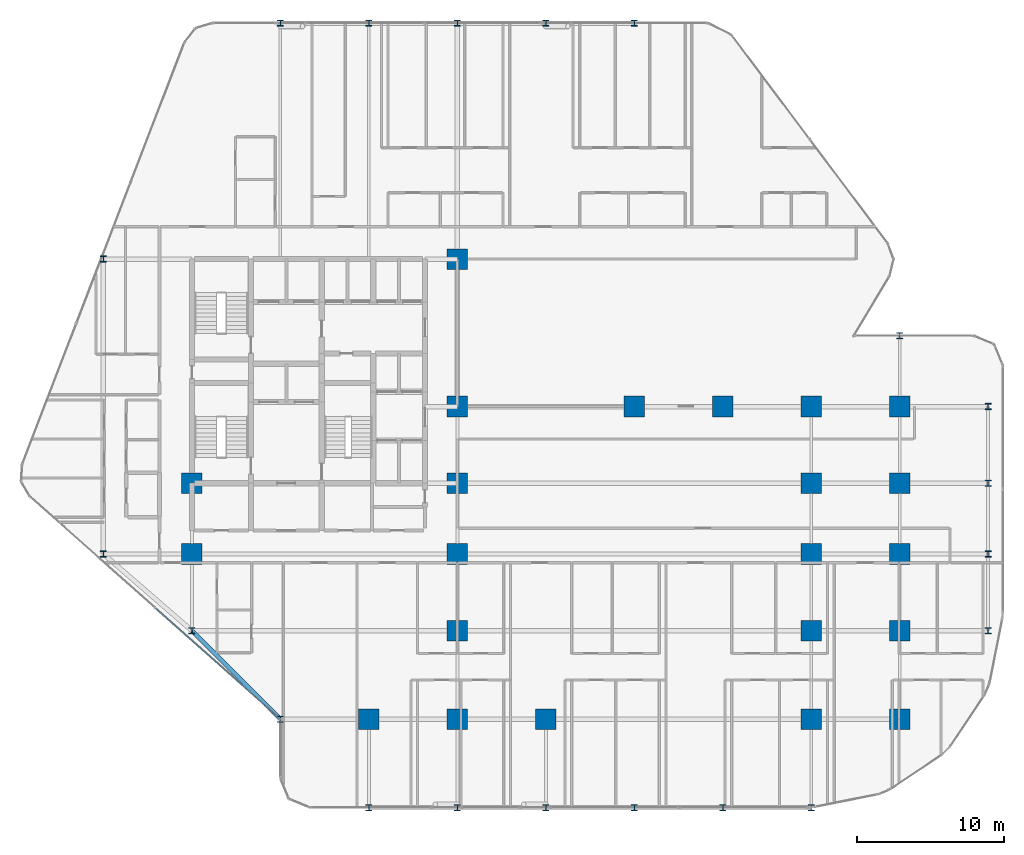
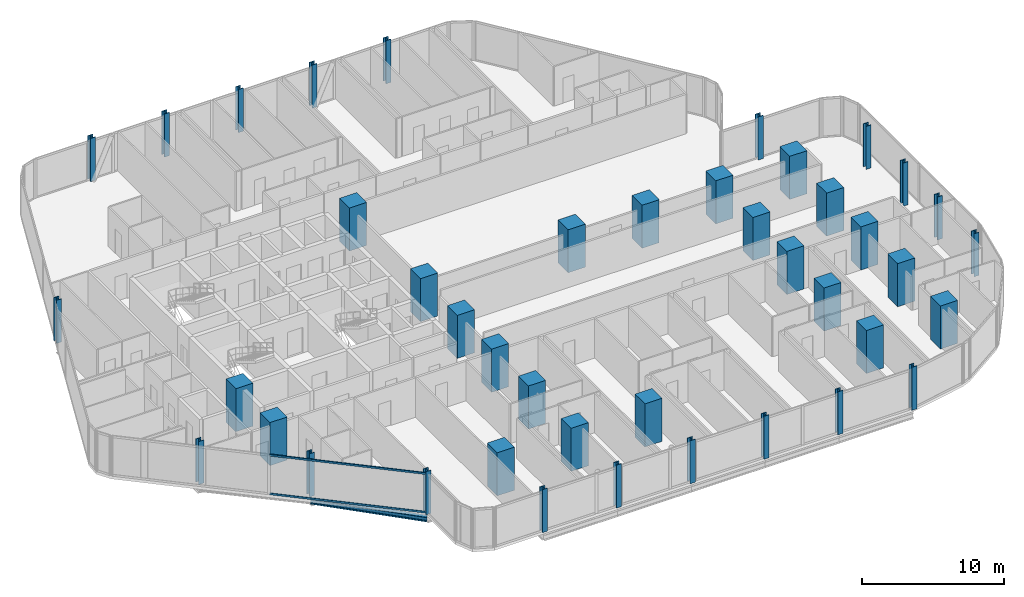
# One storey, part 1 of 33: 42 columns, 2 members, 1 beam, 1 element without a shape of its own.
"""IFC4 building model written with IfcOpenShell, lengths in metres."""

from ifc_helpers import new_model, si_unit, direction, frame, origin, origin_2d, place, context, subcontext, project, spatial, rectangle, hollow_rectangle, i_section, extrude, material, layer, layer_set, material_profile, profile_set, type_object, element, aggregate, save


model = new_model("IFC4")

# Units and contexts
model_context = context("Model", 3, precision=1e-05, world=origin(), true_north=direction((0.0, 1.0)))
body_context = subcontext(model_context, "Body", "Model", "MODEL_VIEW")
ifc_project = project(units=[si_unit("LENGTHUNIT", "METRE"), si_unit("AREAUNIT", "SQUARE_METRE"), si_unit("VOLUMEUNIT", "CUBIC_METRE"), si_unit("PLANEANGLEUNIT", "RADIAN"), si_unit("MASSUNIT", "GRAM", prefix="KILO")], contexts=[model_context])

# Site, building, storey
site_placement = place(None, origin())
site = spatial("IfcSite", under=ifc_project, at=site_placement, CompositionType="ELEMENT")
building_placement = place(site_placement, origin())
building = spatial("IfcBuilding", under=site, at=building_placement, Name="Keshet Zoharim Tower", CompositionType="ELEMENT")
storey_placement = place(building_placement, frame((0.0, 0.0, 42.5)))
storey = spatial("IfcBuildingStorey", under=building, at=storey_placement, Name="L09", CompositionType="ELEMENT", Elevation=42.5)

# Columns
ifc_material_1 = material(Name="Steel S355", Category="steel")
ifc_material_profile_1 = material_profile(ifc_material_1, i_section(OverallWidth=0.408935546875, OverallDepth=0.425048828125, WebThickness=0.031982421875, FlangeThickness=0.052490234375, FilletRadius=0.014892578125, at=origin_2d()), Name="HD400x421")
ifc_profile_set_1 = profile_set([ifc_material_profile_1], Name="Steel S355")
column_type_1 = type_object("IfcColumnType", Name="COL-HD421", PredefinedType="COLUMN", material=ifc_profile_set_1)
for number, where, z_axis, x_axis, name in (
    (1, (9.0, 17.89990234375, 0.0), (0.0, 0.0, 1.0), (1.0, 0.0, 0.0), "L09 Column 2D"),
    (2, (9.0, 37.89990234375, 0.0), (0.0, 0.0, 1.0), (1.0, 0.0, 0.0), "L09 Column 2H"),
    (3, (15.0, 12.699951171875, 0.0), (0.0, 0.0, 1.0), (1.0, 0.0, 0.0), "L09 Column 3C"),
    (4, (21.0, 6.699951171875, 0.0), (0.0, 0.0, 1.0), (1.0, 0.0, 0.0), "L09 Column 4B"),
    (5, (21.0, 53.89990234375, 0.0), (0.0, 0.0, 1.0), (1.0, 0.0, 0.0), "L09 Column 4L"),
    (6, (27.0, 0.699951171875, 0.0), (0.0, 0.0, 1.0), (1.0, 0.0, 0.0), "L09 Column 5A"),
    (7, (27.0, 53.89990234375, 0.0), (0.0, 0.0, 1.0), (1.0, 0.0, 0.0), "L09 Column 5L"),
    (8, (33.0, 0.699951171875, 0.0), (0.0, 0.0, 1.0), (1.0, 0.0, 0.0), "L09 Column 6A"),
    (9, (33.0, 53.89990234375, 0.0), (0.0, 0.0, 1.0), (1.0, 0.0, 0.0), "L09 Column 6L"),
    (10, (39.0, 0.699951171875, 0.0), (0.0, 0.0, 1.0), (1.0, 0.0, 0.0), "L09 Column 7A"),
    (11, (39.0, 53.89990234375, 0.0), (0.0, 0.0, 1.0), (1.0, 0.0, 0.0), "L09 Column 7L"),
    (12, (45.0, 0.699951171875, 0.0), (0.0, 0.0, 1.0), (1.0, 0.0, 0.0), "L09 Column 8A"),
    (13, (45.0, 53.89990234375, 0.0), (0.0, 0.0, 1.0), (1.0, 0.0, 0.0), "L09 Column 8L"),
    (14, (51.0, 0.699951171875, 0.0), (0.0, 0.0, 1.0), (1.0, 0.0, 0.0), "L09 Column 9A"),
    (15, (57.0, 0.699951171875, 0.0), (0.0, 0.0, 1.0), (1.0, 0.0, 0.0), "L09 Column 10A"),
    (16, (63.0, 32.699951171875, 0.0), (0.0, 0.0, 1.0), (1.0, 0.0, 0.0), "L09 Column 11G"),
    (17, (69.0, 12.699951171875, 0.0), (0.0, 0.0, 1.0), (1.0, 0.0, 0.0), "L09 Column 12C"),
    (18, (69.0, 17.89990234375, 0.0), (0.0, 0.0, 1.0), (1.0, 0.0, 0.0), "L09 Column 12D"),
    (19, (69.0, 22.699951171875, 0.0), (0.0, 0.0, 1.0), (1.0, 0.0, 0.0), "L09 Column 12E"),
    (20, (69.0, 27.89990234375, 0.0), (0.0, 0.0, 1.0), (1.0, 0.0, 0.0), "L09 Column 12F"),
):
    element("IfcColumn", number, at=place(storey_placement, frame(where, z_axis=z_axis, x_axis=x_axis)), inside=storey, type_object=column_type_1, Name=name, PredefinedType="COLUMN", context=body_context, shape_type="SweptSolid", body=[
        extrude(i_section(OverallWidth=0.408935546875, OverallDepth=0.425048828125, WebThickness=0.031982421875, FlangeThickness=0.052490234375, FilletRadius=0.014892578125, at=origin_2d()), origin(), (0.0, 0.0, 1.0), 3.699951171875),
    ])
ifc_material_2 = material(Name="Concrete C60/75", Category="concrete")
ifc_material_profile_2 = material_profile(ifc_material_2, rectangle(XDim=1.39990234375, YDim=1.39990234375, at=origin_2d()), Name="RC1400x1400")
ifc_profile_set_2 = profile_set([ifc_material_profile_2], Name="Concrete C60/75")
column_type_2 = type_object("IfcColumnType", Name="COL-RC1400", PredefinedType="COLUMN", material=ifc_profile_set_2)
for number, where, z_axis, x_axis, name in (
    (21, (15.0, 17.89990234375, 0.0), (0.0, 0.0, 1.0), (1.0, 0.0, 0.0), "L09 Column 3D"),
    (22, (15.0, 22.699951171875, 0.0), (0.0, 0.0, 1.0), (1.0, 0.0, 0.0), "L09 Column 3E"),
    (23, (27.0, 6.699951171875, 0.0), (0.0, 0.0, 1.0), (1.0, 0.0, 0.0), "L09 Column 5B"),
    (24, (33.0, 6.699951171875, 0.0), (0.0, 0.0, 1.0), (1.0, 0.0, 0.0), "L09 Column 6B"),
    (25, (33.0, 12.699951171875, 0.0), (0.0, 0.0, 1.0), (1.0, 0.0, 0.0), "L09 Column 6C"),
    (26, (33.0, 17.89990234375, 0.0), (0.0, 0.0, 1.0), (1.0, 0.0, 0.0), "L09 Column 6D"),
    (27, (33.0, 22.699951171875, 0.0), (0.0, 0.0, 1.0), (1.0, 0.0, 0.0), "L09 Column 6E"),
    (28, (33.0, 27.89990234375, 0.0), (0.0, 0.0, 1.0), (1.0, 0.0, 0.0), "L09 Column 6F"),
    (29, (33.0, 37.89990234375, 0.0), (0.0, 0.0, 1.0), (1.0, 0.0, 0.0), "L09 Column 6H"),
    (30, (39.0, 6.699951171875, 0.0), (0.0, 0.0, 1.0), (1.0, 0.0, 0.0), "L09 Column 7B"),
    (31, (45.0, 27.89990234375, 0.0), (0.0, 0.0, 1.0), (1.0, 0.0, 0.0), "L09 Column 8F"),
    (32, (51.0, 27.89990234375, 0.0), (0.0, 0.0, 1.0), (1.0, 0.0, 0.0), "L09 Column 9F"),
    (33, (57.0, 6.699951171875, 0.0), (0.0, 0.0, 1.0), (1.0, 0.0, 0.0), "L09 Column 10B"),
    (34, (57.0, 12.699951171875, 0.0), (0.0, 0.0, 1.0), (1.0, 0.0, 0.0), "L09 Column 10C"),
    (35, (57.0, 17.89990234375, 0.0), (0.0, 0.0, 1.0), (1.0, 0.0, 0.0), "L09 Column 10D"),
    (36, (57.0, 22.699951171875, 0.0), (0.0, 0.0, 1.0), (1.0, 0.0, 0.0), "L09 Column 10E"),
    (37, (57.0, 27.89990234375, 0.0), (0.0, 0.0, 1.0), (1.0, 0.0, 0.0), "L09 Column 10F"),
    (38, (63.0, 6.699951171875, 0.0), (0.0, 0.0, 1.0), (1.0, 0.0, 0.0), "L09 Column 11B"),
    (39, (63.0, 12.699951171875, 0.0), (0.0, 0.0, 1.0), (1.0, 0.0, 0.0), "L09 Column 11C"),
    (40, (63.0, 17.89990234375, 0.0), (0.0, 0.0, 1.0), (1.0, 0.0, 0.0), "L09 Column 11D"),
    (41, (63.0, 22.699951171875, 0.0), (0.0, 0.0, 1.0), (1.0, 0.0, 0.0), "L09 Column 11E"),
    (42, (63.0, 27.89990234375, 0.0), (0.0, 0.0, 1.0), (1.0, 0.0, 0.0), "L09 Column 11F"),
):
    element("IfcColumn", number, at=place(storey_placement, frame(where, z_axis=z_axis, x_axis=x_axis)), inside=storey, type_object=column_type_2, Name=name, PredefinedType="COLUMN", context=body_context, shape_type="SweptSolid", body=[
        extrude(rectangle(XDim=1.39990234375, YDim=1.39990234375, at=origin_2d()), origin(), (0.0, 0.0, 1.0), 3.699951171875),
    ])

# Beam
ifc_material_profile_3 = material_profile(ifc_material_1, i_section(OverallWidth=0.300048828125, OverallDepth=0.39990234375, WebThickness=0.013427734375, FlangeThickness=0.02392578125, FilletRadius=0.027099609375, at=origin_2d()), Name="HEB400")
ifc_profile_set_3 = profile_set([ifc_material_profile_3], Name="Steel S355")
beam_type = type_object("IfcBeamType", Name="BM-SPN-HB400", PredefinedType="SPANDREL", material=ifc_profile_set_3)
beam_placement = place(storey_placement, frame((21.0, 6.699951171875, -0.514892578125), z_axis=(-0.707106781187, 0.707106781187, 0.0), x_axis=(-0.707106781187, -0.707106781187, 0.0)))
element("IfcBeam", 43, at=beam_placement, inside=storey, type_object=beam_type, Name="L09 Perimeter Spandrel Beam 01", PredefinedType="SPANDREL", context=body_context, shape_type="SweptSolid", body=[
    extrude(i_section(OverallWidth=0.300048828125, OverallDepth=0.39990234375, WebThickness=0.013427734375, FlangeThickness=0.02392578125, FilletRadius=0.027099609375, at=origin_2d()), origin(), (0.0, 0.0, 1.0), 8.4853515625),
])

# Curtain wall, members
ifc_material_3 = material(Name="Aluminium 6063-T6", Category="aluminium")
ifc_layer = layer(ifc_material_3, 0.179931640625)
ifc_layer_set = layer_set([ifc_layer], Name="Aluminium 6063-T6")
curtain_wall_type = type_object("IfcCurtainWallType", Name="CW-SYS-01", PredefinedType="NOTDEFINED", material=ifc_layer_set)
curtain_wall_placement = place(storey_placement, origin())
curtain_wall = element("IfcCurtainWall", 44, at=curtain_wall_placement, inside=storey, type_object=curtain_wall_type, Name="L09 Unitised Curtain Wall 01", PredefinedType="NOTDEFINED")
ifc_material_profile_4 = material_profile(ifc_material_3, hollow_rectangle(XDim=0.0849609375, YDim=0.159912109375, WallThickness=0.00439453125, at=origin_2d()), Name="TRN-85x160")
ifc_profile_set_4 = profile_set([ifc_material_profile_4], Name="Aluminium 6063-T6")
member_type = type_object("IfcMemberType", Name="CWT-T16", PredefinedType="USERDEFINED", material=ifc_profile_set_4)
member_1_placement = place(storey_placement, frame((20.94775390625, 6.74658203125, 0.034912109375), z_axis=(-0.747411714548, 0.664361143472, 0.0), x_axis=(-0.664361143472, -0.747411714548, 0.0)))
member_1 = element("IfcMember", 45, at=member_1_placement, type_object=member_type, Name="CW-01 transom 1.1", ObjectType="TRANSOM", PredefinedType="USERDEFINED", context=body_context, shape_type="SweptSolid", body=[
    extrude(hollow_rectangle(XDim=0.0849609375, YDim=0.159912109375, WallThickness=0.00439453125, at=origin_2d()), origin(), (0.0, 0.0, 1.0), 11.244140625),
])
member_2_placement = place(storey_placement, frame((20.94775390625, 6.74658203125, 3.35009765625), z_axis=(-0.747411714548, 0.664361143472, 0.0), x_axis=(-0.664361143472, -0.747411714548, 0.0)))
member_2 = element("IfcMember", 46, at=member_2_placement, type_object=member_type, Name="CW-01 transom 1.2", ObjectType="TRANSOM", PredefinedType="USERDEFINED", context=body_context, shape_type="SweptSolid", body=[
    extrude(hollow_rectangle(XDim=0.0849609375, YDim=0.159912109375, WallThickness=0.00439453125, at=origin_2d()), origin(), (0.0, 0.0, 1.0), 11.244140625),
])
aggregate(curtain_wall, [member_1, member_2])

save(model, "model.ifc")
